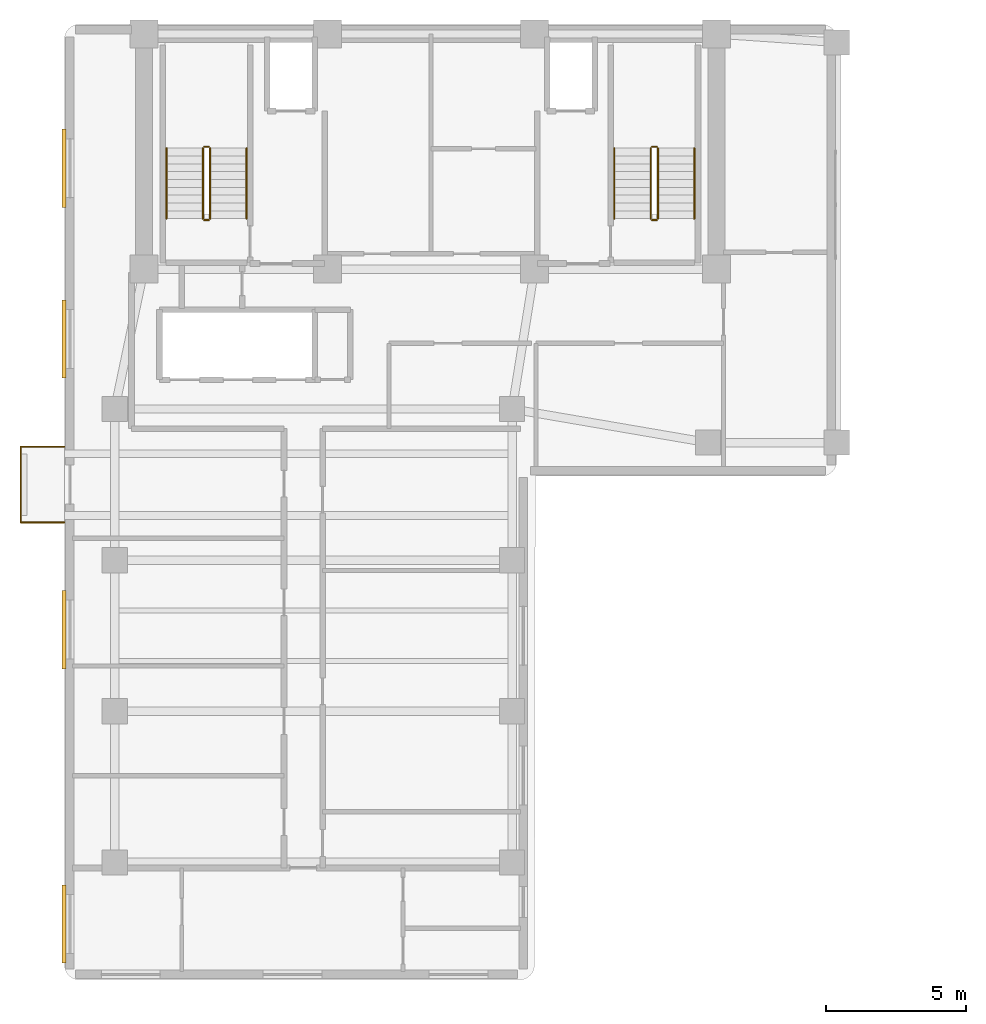
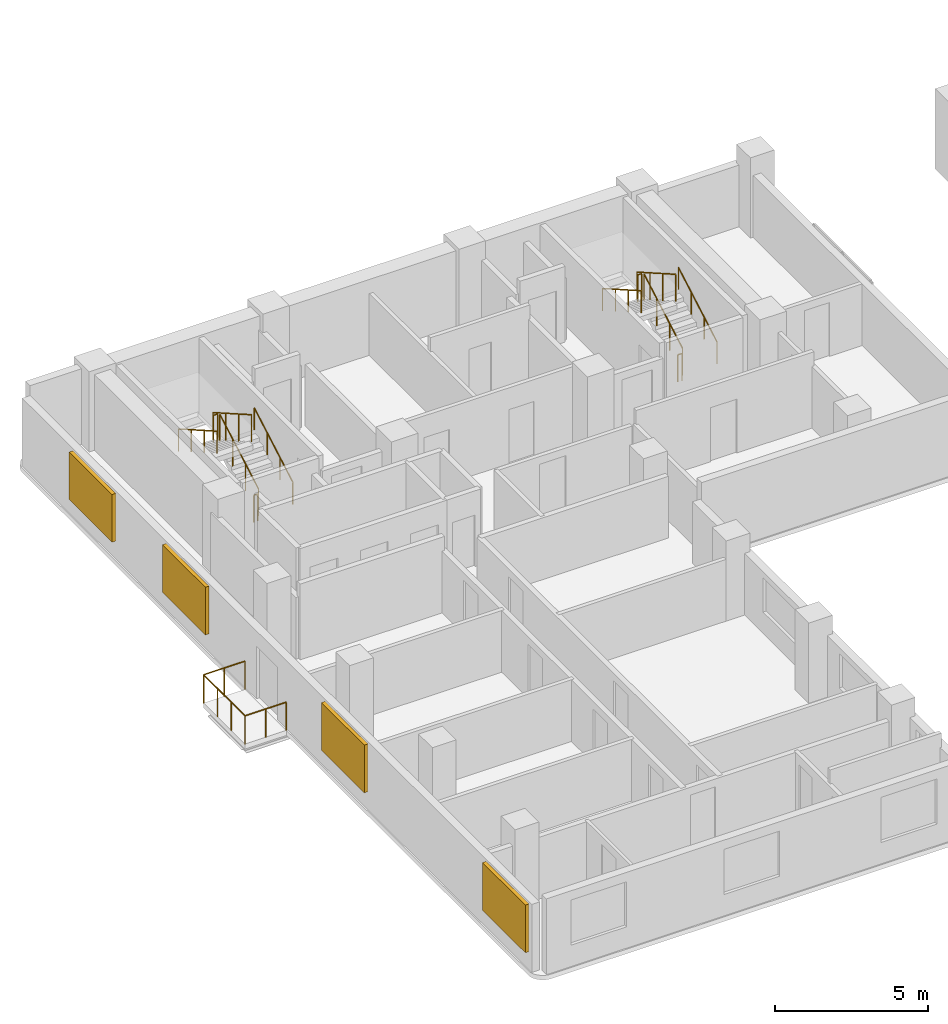
# One storey, part 9 of 10: 15 railings, 4 shading devices.
"""IFC4 building model written with IfcOpenShell, lengths in metres."""

from ifc_helpers import new_model, si_unit, direction, frame, origin, origin_2d, place, context, subcontext, project, spatial, rectangle, circle, extrude, material, layer, layer_set, type_object, element, save


model = new_model("IFC4")

# Units and contexts
model_context = context("Model", 3, precision=1e-05, world=origin(), true_north=direction((0.0, 1.0)))
body_context = subcontext(model_context, "Body", "Model", "MODEL_VIEW")
ifc_project = project(units=[si_unit("LENGTHUNIT", "METRE"), si_unit("AREAUNIT", "SQUARE_METRE"), si_unit("VOLUMEUNIT", "CUBIC_METRE"), si_unit("PLANEANGLEUNIT", "RADIAN"), si_unit("MASSUNIT", "GRAM", prefix="KILO")], contexts=[model_context])

# Site, building, storey
site_placement = place(None, origin())
site = spatial("IfcSite", under=ifc_project, at=site_placement, CompositionType="ELEMENT")
building_placement = place(site_placement, origin())
building = spatial("IfcBuilding", under=site, at=building_placement, Name="Kuzgunbayir Cultural Tower", CompositionType="ELEMENT")
storey_placement = place(building_placement, frame((0.0, 0.0, 160.0)))
storey = spatial("IfcBuildingStorey", under=building, at=storey_placement, Name="L46", CompositionType="ELEMENT", Elevation=160.0)

# Railings
ifc_material_1 = material(Name="Laminated Glass and Stainless Steel", Category="steel")
ifc_layer_1 = layer(ifc_material_1, 0.080078125)
ifc_layer_set_1 = layer_set([ifc_layer_1], Name="Laminated Glass and Stainless Steel")
railing_type_1 = type_object("IfcRailingType", Name="RLG-BAL-115", PredefinedType="BALUSTRADE", material=ifc_layer_set_1)
railing_1_placement = place(storey_placement, frame((3.60009765625, 24.75, 0.0)))
element("IfcRailing", 1, at=railing_1_placement, inside=storey, type_object=railing_type_1, Name="L46 Balcony Guard BAL-L46-WA3 Segment 1", PredefinedType="BALUSTRADE", context=body_context, shape_type="SweptSolid", body=[
    extrude(circle(Radius=0.02392578125, at=origin_2d()), frame((0.0, 0.0, 1.1259765625), z_axis=(-1.0, 0.0, 0.0), x_axis=(0.0, -1.0, 0.0)), (0.0, 0.0, 1.0), 1.56005859375),
    extrude(circle(Radius=0.02099609375, at=origin_2d()), origin(), (0.0, 0.0, 1.0), 1.101806640625),
    extrude(circle(Radius=0.02099609375, at=origin_2d()), frame((-0.780029296875, 0.0, 0.0)), (0.0, 0.0, 1.0), 1.101806640625),
    extrude(circle(Radius=0.02099609375, at=origin_2d()), frame((-1.56005859375, 0.0, 0.0)), (0.0, 0.0, 1.0), 1.101806640625),
])
railing_2_placement = place(storey_placement, frame((2.0400390625, 24.75, 0.0)))
element("IfcRailing", 2, at=railing_2_placement, inside=storey, type_object=railing_type_1, Name="L46 Balcony Guard BAL-L46-WA3 Segment 2", PredefinedType="BALUSTRADE", context=body_context, shape_type="SweptSolid", body=[
    extrude(circle(Radius=0.02392578125, at=origin_2d()), frame((0.0, 0.0, 1.1259765625), z_axis=(0.0, 1.0, 0.0), x_axis=(-1.0, 0.0, 0.0)), (0.0, 0.0, 1.0), 2.699951171875),
    extrude(circle(Radius=0.02099609375, at=origin_2d()), origin(), (0.0, 0.0, 1.0), 1.101806640625),
    extrude(circle(Radius=0.02099609375, at=origin_2d()), frame((0.0, 0.89990234375, 0.0)), (0.0, 0.0, 1.0), 1.101806640625),
    extrude(circle(Radius=0.02099609375, at=origin_2d()), frame((0.0, 1.800048828125, 0.0)), (0.0, 0.0, 1.0), 1.101806640625),
    extrude(circle(Radius=0.02099609375, at=origin_2d()), frame((0.0, 2.699951171875, 0.0)), (0.0, 0.0, 1.0), 1.101806640625),
])
railing_3_placement = place(storey_placement, frame((2.0400390625, 27.449951171875, 0.0)))
element("IfcRailing", 3, at=railing_3_placement, inside=storey, type_object=railing_type_1, Name="L46 Balcony Guard BAL-L46-WA3 Segment 3", PredefinedType="BALUSTRADE", context=body_context, shape_type="SweptSolid", body=[
    extrude(circle(Radius=0.02392578125, at=origin_2d()), frame((0.0, 0.0, 1.1259765625), z_axis=(1.0, 0.0, 0.0), x_axis=(0.0, 1.0, 0.0)), (0.0, 0.0, 1.0), 1.56005859375),
    extrude(circle(Radius=0.02099609375, at=origin_2d()), origin(), (0.0, 0.0, 1.0), 1.101806640625),
    extrude(circle(Radius=0.02099609375, at=origin_2d()), frame((0.780029296875, 0.0, 0.0)), (0.0, 0.0, 1.0), 1.101806640625),
    extrude(circle(Radius=0.02099609375, at=origin_2d()), frame((1.56005859375, 0.0, 0.0)), (0.0, 0.0, 1.0), 1.101806640625),
])
ifc_material_2 = material(Name="Brushed Stainless Steel", Category="steel")
ifc_layer_2 = layer(ifc_material_2, 0.050048828125)
ifc_layer_set_2 = layer_set([ifc_layer_2], Name="Brushed Stainless Steel")
railing_type_2 = type_object("IfcRailingType", Name="RLG-STAIR-HANDRAIL", PredefinedType="HANDRAIL", material=ifc_layer_set_2)
railing_4_placement = place(storey_placement, frame((10.110107421875, 35.60009765625, 0.159912109375)))
element("IfcRailing", 4, at=railing_4_placement, inside=storey, type_object=railing_type_2, Name="L46 ST-1 stair handrail 1", PredefinedType="HANDRAIL", context=body_context, shape_type="SweptSolid", body=[
    extrude(circle(Radius=0.02392578125, at=origin_2d()), frame((0.0, 0.0, 0.8759765625), z_axis=(0.0, 0.868217259934, 0.496184229447), x_axis=(-1.0, 0.0, 0.0)), (0.0, 0.0, 1.0), 2.902587890625),
    extrude(circle(Radius=0.02099609375, at=origin_2d()), origin(), (0.0, 0.0, 1.0), 0.851806640625),
    extrude(circle(Radius=0.02099609375, at=origin_2d()), frame((0.0, 0.840087890625, 0.47998046875)), (0.0, 0.0, 1.0), 0.851806640625),
    extrude(circle(Radius=0.02099609375, at=origin_2d()), frame((0.0, 1.679931640625, 0.960205078125)), (0.0, 0.0, 1.0), 0.851806640625),
    extrude(circle(Radius=0.02099609375, at=origin_2d()), frame((0.0, 2.52001953125, 1.440185546875)), (0.0, 0.0, 1.0), 0.851806640625),
])
railing_5_placement = place(storey_placement, frame((7.25, 38.1201171875, 1.760009765625)))
element("IfcRailing", 5, at=railing_5_placement, inside=storey, type_object=railing_type_2, Name="L46 ST-1 stair handrail 2", PredefinedType="HANDRAIL", context=body_context, shape_type="SweptSolid", body=[
    extrude(circle(Radius=0.02392578125, at=origin_2d()), frame((0.0, 0.0, 0.8759765625), z_axis=(0.0, -0.868253494771, 0.496120820787), x_axis=(1.0, 0.0, 0.0)), (0.0, 0.0, 1.0), 2.90234375),
    extrude(circle(Radius=0.02099609375, at=origin_2d()), origin(), (0.0, 0.0, 1.0), 0.851806640625),
    extrude(circle(Radius=0.02099609375, at=origin_2d()), frame((0.0, -0.840087890625, 0.47998046875)), (0.0, 0.0, 1.0), 0.851806640625),
    extrude(circle(Radius=0.02099609375, at=origin_2d()), frame((0.0, -1.679931640625, 0.9599609375)), (0.0, 0.0, 1.0), 0.851806640625),
    extrude(circle(Radius=0.02099609375, at=origin_2d()), frame((0.0, -2.52001953125, 1.43994140625)), (0.0, 0.0, 1.0), 0.851806640625),
])
railing_6_placement = place(storey_placement, frame((26.110107421875, 35.60009765625, 0.159912109375)))
element("IfcRailing", 6, at=railing_6_placement, inside=storey, type_object=railing_type_2, Name="L46 ST-2 stair handrail 1", PredefinedType="HANDRAIL", context=body_context, shape_type="SweptSolid", body=[
    extrude(circle(Radius=0.02392578125, at=origin_2d()), frame((0.0, 0.0, 0.8759765625), z_axis=(0.0, 0.868217259934, 0.496184229447), x_axis=(-1.0, 0.0, 0.0)), (0.0, 0.0, 1.0), 2.902587890625),
    extrude(circle(Radius=0.02099609375, at=origin_2d()), origin(), (0.0, 0.0, 1.0), 0.851806640625),
    extrude(circle(Radius=0.02099609375, at=origin_2d()), frame((0.0, 0.840087890625, 0.47998046875)), (0.0, 0.0, 1.0), 0.851806640625),
    extrude(circle(Radius=0.02099609375, at=origin_2d()), frame((0.0, 1.679931640625, 0.960205078125)), (0.0, 0.0, 1.0), 0.851806640625),
    extrude(circle(Radius=0.02099609375, at=origin_2d()), frame((0.0, 2.52001953125, 1.440185546875)), (0.0, 0.0, 1.0), 0.851806640625),
])
railing_7_placement = place(storey_placement, frame((23.25, 38.1201171875, 1.760009765625)))
element("IfcRailing", 7, at=railing_7_placement, inside=storey, type_object=railing_type_2, Name="L46 ST-2 stair handrail 2", PredefinedType="HANDRAIL", context=body_context, shape_type="SweptSolid", body=[
    extrude(circle(Radius=0.02392578125, at=origin_2d()), frame((0.0, 0.0, 0.8759765625), z_axis=(0.0, -0.868253494771, 0.496120820787), x_axis=(1.0, 0.0, 0.0)), (0.0, 0.0, 1.0), 2.90234375),
    extrude(circle(Radius=0.02099609375, at=origin_2d()), origin(), (0.0, 0.0, 1.0), 0.851806640625),
    extrude(circle(Radius=0.02099609375, at=origin_2d()), frame((0.0, -0.840087890625, 0.47998046875)), (0.0, 0.0, 1.0), 0.851806640625),
    extrude(circle(Radius=0.02099609375, at=origin_2d()), frame((0.0, -1.679931640625, 0.9599609375)), (0.0, 0.0, 1.0), 0.851806640625),
    extrude(circle(Radius=0.02099609375, at=origin_2d()), frame((0.0, -2.52001953125, 1.43994140625)), (0.0, 0.0, 1.0), 0.851806640625),
])
ifc_material_3 = material(Name="Painted Steel Balustrade", Category="steel")
ifc_layer_3 = layer(ifc_material_3, 0.06005859375)
ifc_layer_set_3 = layer_set([ifc_layer_3], Name="Painted Steel Balustrade")
railing_type_3 = type_object("IfcRailingType", Name="RLG-WELL-GUARD", PredefinedType="GUARDRAIL", material=ifc_layer_set_3)
railing_8_placement = place(storey_placement, frame((8.81005859375, 35.60009765625, 0.159912109375)))
element("IfcRailing", 8, at=railing_8_placement, inside=storey, type_object=railing_type_3, Name="L46 ST-1 stair guard 1", PredefinedType="GUARDRAIL", context=body_context, shape_type="SweptSolid", body=[
    extrude(circle(Radius=0.02392578125, at=origin_2d()), frame((0.0, 0.0, 1.076171875), z_axis=(0.0, 0.868217259934, 0.496184229447), x_axis=(-1.0, 0.0, 0.0)), (0.0, 0.0, 1.0), 2.902587890625),
    extrude(circle(Radius=0.02099609375, at=origin_2d()), origin(), (0.0, 0.0, 1.0), 1.052001953125),
    extrude(circle(Radius=0.02099609375, at=origin_2d()), frame((0.0, 0.840087890625, 0.47998046875)), (0.0, 0.0, 1.0), 1.052001953125),
    extrude(circle(Radius=0.02099609375, at=origin_2d()), frame((0.0, 1.679931640625, 0.960205078125)), (0.0, 0.0, 1.0), 1.052001953125),
    extrude(circle(Radius=0.02099609375, at=origin_2d()), frame((0.0, 2.52001953125, 1.440185546875)), (0.0, 0.0, 1.0), 1.052001953125),
])
railing_9_placement = place(storey_placement, frame((8.760009765625, 38.169921875, 1.60009765625)))
element("IfcRailing", 9, at=railing_9_placement, inside=storey, type_object=railing_type_3, Name="L46 ST-1 stair guard 2", PredefinedType="GUARDRAIL", context=body_context, shape_type="SweptSolid", body=[
    extrude(circle(Radius=0.02392578125, at=origin_2d()), frame((0.0, 0.0, 1.076171875), z_axis=(-1.0, 0.0, 0.0), x_axis=(0.0, -1.0, 0.0)), (0.0, 0.0, 1.0), 0.159912109375),
    extrude(circle(Radius=0.02099609375, at=origin_2d()), origin(), (0.0, 0.0, 1.0), 1.052001953125),
    extrude(circle(Radius=0.02099609375, at=origin_2d()), frame((-0.159912109375, 0.0, 0.0)), (0.0, 0.0, 1.0), 1.052001953125),
])
railing_10_placement = place(storey_placement, frame((8.550048828125, 38.1201171875, 1.760009765625)))
element("IfcRailing", 10, at=railing_10_placement, inside=storey, type_object=railing_type_3, Name="L46 ST-1 stair guard 3", PredefinedType="GUARDRAIL", context=body_context, shape_type="SweptSolid", body=[
    extrude(circle(Radius=0.02392578125, at=origin_2d()), frame((0.0, 0.0, 1.076171875), z_axis=(0.0, -0.868253494771, 0.496120820787), x_axis=(1.0, 0.0, 0.0)), (0.0, 0.0, 1.0), 2.90234375),
    extrude(circle(Radius=0.02099609375, at=origin_2d()), origin(), (0.0, 0.0, 1.0), 1.052001953125),
    extrude(circle(Radius=0.02099609375, at=origin_2d()), frame((0.0, -0.840087890625, 0.47998046875)), (0.0, 0.0, 1.0), 1.052001953125),
    extrude(circle(Radius=0.02099609375, at=origin_2d()), frame((0.0, -1.679931640625, 0.9599609375)), (0.0, 0.0, 1.0), 1.052001953125),
    extrude(circle(Radius=0.02099609375, at=origin_2d()), frame((0.0, -2.52001953125, 1.43994140625)), (0.0, 0.0, 1.0), 1.052001953125),
])
railing_11_placement = place(storey_placement, frame((8.760009765625, 35.550048828125, 0.0)))
element("IfcRailing", 11, at=railing_11_placement, inside=storey, type_object=railing_type_3, Name="L46 ST-1 stair guard 4", PredefinedType="GUARDRAIL", context=body_context, shape_type="SweptSolid", body=[
    extrude(circle(Radius=0.02392578125, at=origin_2d()), frame((0.0, 0.0, 1.076171875), z_axis=(-1.0, 0.0, 0.0), x_axis=(0.0, -1.0, 0.0)), (0.0, 0.0, 1.0), 0.159912109375),
    extrude(circle(Radius=0.02099609375, at=origin_2d()), origin(), (0.0, 0.0, 1.0), 1.052001953125),
    extrude(circle(Radius=0.02099609375, at=origin_2d()), frame((-0.159912109375, 0.0, 0.0)), (0.0, 0.0, 1.0), 1.052001953125),
])
railing_12_placement = place(storey_placement, frame((24.81005859375, 35.60009765625, 0.159912109375)))
element("IfcRailing", 12, at=railing_12_placement, inside=storey, type_object=railing_type_3, Name="L46 ST-2 stair guard 1", PredefinedType="GUARDRAIL", context=body_context, shape_type="SweptSolid", body=[
    extrude(circle(Radius=0.02392578125, at=origin_2d()), frame((0.0, 0.0, 1.076171875), z_axis=(0.0, 0.868217259934, 0.496184229447), x_axis=(-1.0, 0.0, 0.0)), (0.0, 0.0, 1.0), 2.902587890625),
    extrude(circle(Radius=0.02099609375, at=origin_2d()), origin(), (0.0, 0.0, 1.0), 1.052001953125),
    extrude(circle(Radius=0.02099609375, at=origin_2d()), frame((0.0, 0.840087890625, 0.47998046875)), (0.0, 0.0, 1.0), 1.052001953125),
    extrude(circle(Radius=0.02099609375, at=origin_2d()), frame((0.0, 1.679931640625, 0.960205078125)), (0.0, 0.0, 1.0), 1.052001953125),
    extrude(circle(Radius=0.02099609375, at=origin_2d()), frame((0.0, 2.52001953125, 1.440185546875)), (0.0, 0.0, 1.0), 1.052001953125),
])
railing_13_placement = place(storey_placement, frame((24.760009765625, 38.169921875, 1.60009765625)))
element("IfcRailing", 13, at=railing_13_placement, inside=storey, type_object=railing_type_3, Name="L46 ST-2 stair guard 2", PredefinedType="GUARDRAIL", context=body_context, shape_type="SweptSolid", body=[
    extrude(circle(Radius=0.02392578125, at=origin_2d()), frame((0.0, 0.0, 1.076171875), z_axis=(-1.0, 0.0, 0.0), x_axis=(0.0, -1.0, 0.0)), (0.0, 0.0, 1.0), 0.159912109375),
    extrude(circle(Radius=0.02099609375, at=origin_2d()), origin(), (0.0, 0.0, 1.0), 1.052001953125),
    extrude(circle(Radius=0.02099609375, at=origin_2d()), frame((-0.159912109375, 0.0, 0.0)), (0.0, 0.0, 1.0), 1.052001953125),
])
railing_14_placement = place(storey_placement, frame((24.550048828125, 38.1201171875, 1.760009765625)))
element("IfcRailing", 14, at=railing_14_placement, inside=storey, type_object=railing_type_3, Name="L46 ST-2 stair guard 3", PredefinedType="GUARDRAIL", context=body_context, shape_type="SweptSolid", body=[
    extrude(circle(Radius=0.02392578125, at=origin_2d()), frame((0.0, 0.0, 1.076171875), z_axis=(0.0, -0.868253494771, 0.496120820787), x_axis=(1.0, 0.0, 0.0)), (0.0, 0.0, 1.0), 2.90234375),
    extrude(circle(Radius=0.02099609375, at=origin_2d()), origin(), (0.0, 0.0, 1.0), 1.052001953125),
    extrude(circle(Radius=0.02099609375, at=origin_2d()), frame((0.0, -0.840087890625, 0.47998046875)), (0.0, 0.0, 1.0), 1.052001953125),
    extrude(circle(Radius=0.02099609375, at=origin_2d()), frame((0.0, -1.679931640625, 0.9599609375)), (0.0, 0.0, 1.0), 1.052001953125),
    extrude(circle(Radius=0.02099609375, at=origin_2d()), frame((0.0, -2.52001953125, 1.43994140625)), (0.0, 0.0, 1.0), 1.052001953125),
])
railing_15_placement = place(storey_placement, frame((24.760009765625, 35.550048828125, 0.0)))
element("IfcRailing", 15, at=railing_15_placement, inside=storey, type_object=railing_type_3, Name="L46 ST-2 stair guard 4", PredefinedType="GUARDRAIL", context=body_context, shape_type="SweptSolid", body=[
    extrude(circle(Radius=0.02392578125, at=origin_2d()), frame((0.0, 0.0, 1.076171875), z_axis=(-1.0, 0.0, 0.0), x_axis=(0.0, -1.0, 0.0)), (0.0, 0.0, 1.0), 0.159912109375),
    extrude(circle(Radius=0.02099609375, at=origin_2d()), origin(), (0.0, 0.0, 1.0), 1.052001953125),
    extrude(circle(Radius=0.02099609375, at=origin_2d()), frame((-0.159912109375, 0.0, 0.0)), (0.0, 0.0, 1.0), 1.052001953125),
])

# Shading devices
ifc_material_4 = material(Name="Perforated Bronze-Anodised Aluminium", Category="aluminium")
shading_device_type = type_object("IfcShadingDeviceType", Name="SHD-SOLAR-BRONZE", PredefinedType="JALOUSIE", material=ifc_material_4)
for number, where, z_axis, x_axis, name in (
    (16, (3.590087890625, 10.39990234375, 0.7099609375), (0.0, 0.0, 1.0), (1.0, 0.0, 0.0), "L46 Perforated Bronze Solar Screen WAW5"),
    (17, (3.590087890625, 20.919921875, 0.7099609375), (0.0, 0.0, 1.0), (1.0, 0.0, 0.0), "L46 Perforated Bronze Solar Screen WAW6"),
    (18, (3.590087890625, 31.300048828125, 0.7099609375), (0.0, 0.0, 1.0), (1.0, 0.0, 0.0), "L46 Perforated Bronze Solar Screen WAW7"),
    (19, (3.590087890625, 37.39990234375, 0.7099609375), (0.0, 0.0, 1.0), (1.0, 0.0, 0.0), "L46 Perforated Bronze Solar Screen WAW8"),
):
    element("IfcShadingDevice", number, at=place(storey_placement, frame(where, z_axis=z_axis, x_axis=x_axis)), inside=storey, type_object=shading_device_type, Name=name, PredefinedType="JALOUSIE", context=body_context, shape_type="SweptSolid", body=[
        extrude(rectangle(XDim=0.139892578125, YDim=2.800048828125, at=origin_2d()), origin(), (0.0, 0.0, 1.0), 1.89990234375),
    ])

save(model, "model.ifc")
